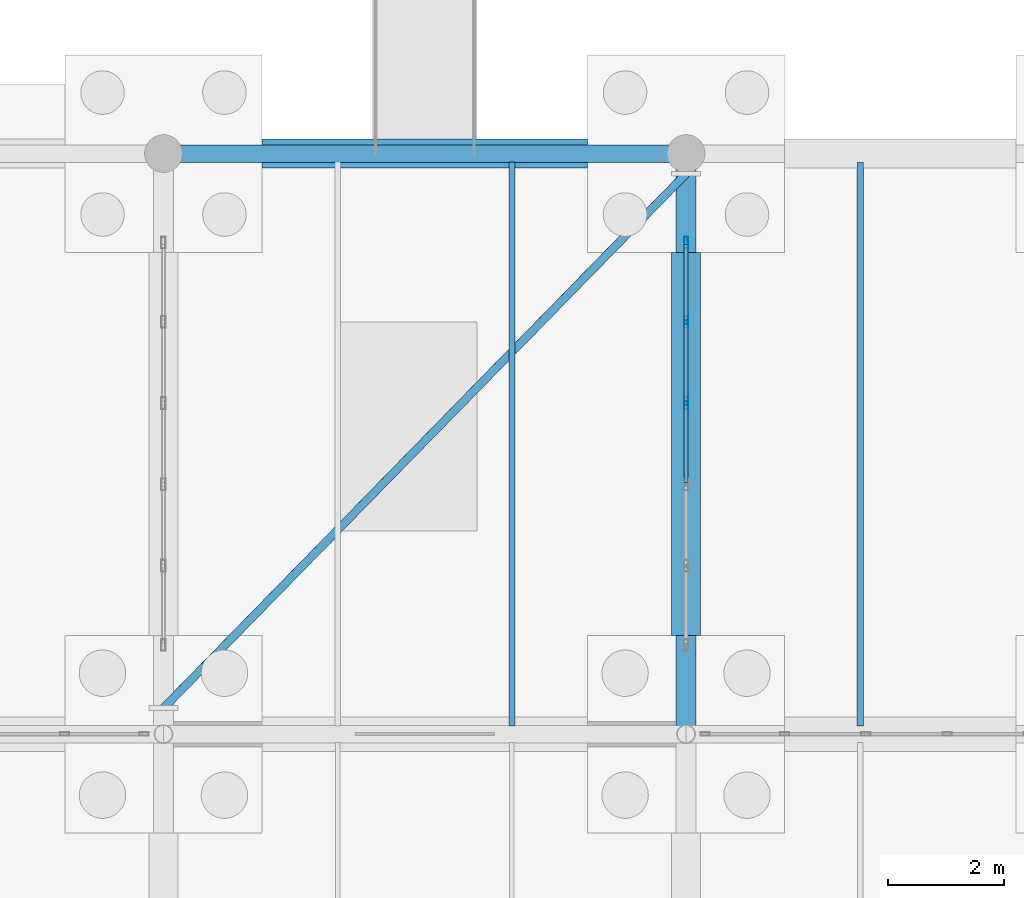
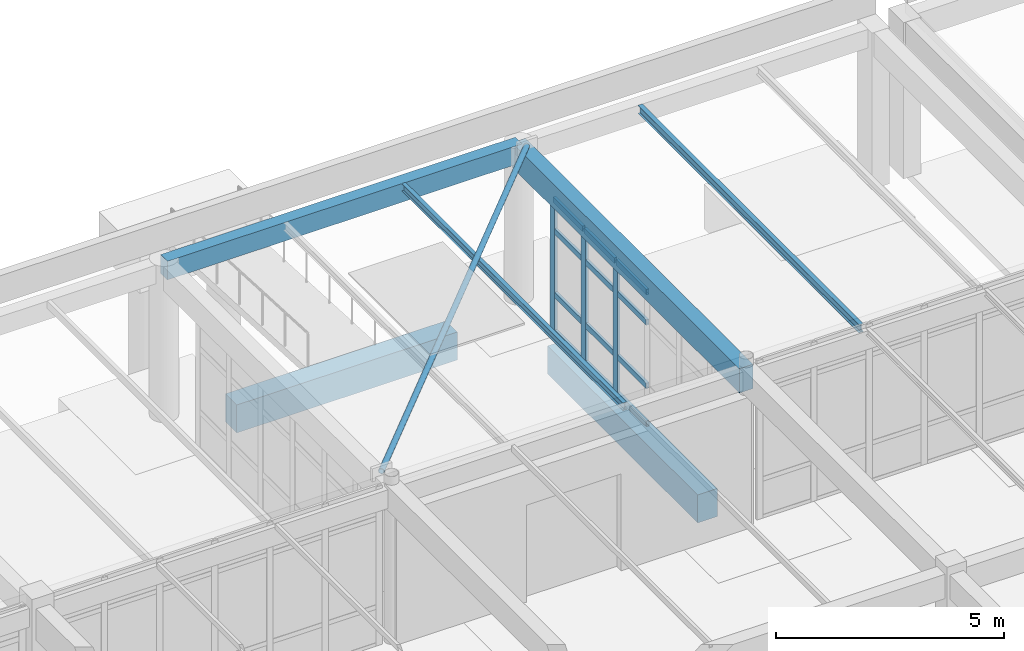
# One storey, part 78 of 186: 16 members, 6 beams, 1 element without a shape of its own.
"""IFC4 building model written with IfcOpenShell, lengths in metres."""

from ifc_helpers import new_model, si_unit, direction, frame, origin, origin_2d, place, context, subcontext, project, spatial, rectangle, hollow_rectangle, hollow_circle, i_section, extrude, material, layer, layer_set, material_profile, profile_set, type_object, element, aggregate, save


model = new_model("IFC4")

# Units and contexts
model_context = context("Model", 3, precision=1e-05, world=origin(), true_north=direction((0.0, 1.0)))
body_context = subcontext(model_context, "Body", "Model", "MODEL_VIEW")
ifc_project = project(units=[si_unit("LENGTHUNIT", "METRE"), si_unit("AREAUNIT", "SQUARE_METRE"), si_unit("VOLUMEUNIT", "CUBIC_METRE"), si_unit("PLANEANGLEUNIT", "RADIAN"), si_unit("MASSUNIT", "GRAM", prefix="KILO")], contexts=[model_context])

# Site, building, storey
site_placement = place(None, origin())
site = spatial("IfcSite", under=ifc_project, at=site_placement, CompositionType="ELEMENT")
building_placement = place(site_placement, origin())
building = spatial("IfcBuilding", under=site, at=building_placement, Name="Ornek Quay Market", CompositionType="ELEMENT")
storey_placement = place(building_placement, origin())
storey = spatial("IfcBuildingStorey", under=building, at=storey_placement, Name="L00", CompositionType="ELEMENT", Elevation=0.0)

# Beams
ifc_material_1 = material(Name="Concrete C35/45", Category="concrete")
ifc_material_profile_1 = material_profile(ifc_material_1, rectangle(XDim=0.35009765625, YDim=0.64990234375, at=origin_2d()), Name="RC 350x650", Category="concrete")
ifc_profile_set_1 = profile_set([ifc_material_profile_1], Name="Concrete C35/45")
beam_type_1 = type_object("IfcBeamType", Name="BM-CONC-350x650", PredefinedType="BEAM", material=ifc_profile_set_1)
beam_1_placement = place(storey_placement, frame((45.0, 110.0, 3.864990234375), z_axis=(0.0, 1.0, 0.0), x_axis=(-1.0, 0.0, 0.0)))
element("IfcBeam", 1, at=beam_1_placement, inside=storey, type_object=beam_type_1, Name="Primary beam B-CN1-006", PredefinedType="BEAM", context=body_context, shape_type="SweptSolid", body=[
    extrude(rectangle(XDim=0.35009765625, YDim=0.64990234375, at=origin_2d()), origin(), (0.0, 0.0, 1.0), 10.0),
])
ifc_material_profile_2 = material_profile(ifc_material_1, rectangle(XDim=0.5, YDim=0.75, at=origin_2d()), Name="RC 500x750", Category="concrete")
ifc_profile_set_2 = profile_set([ifc_material_profile_2], Name="Concrete C35/45")
beam_type_2 = type_object("IfcBeamType", Name="BM-GB-500x750", PredefinedType="BEAM", material=ifc_profile_set_2)
beam_2_placement = place(storey_placement, frame((37.699951171875, 120.0, -0.574951171875), z_axis=(1.0, 0.0, 0.0), x_axis=(0.0, 1.0, 0.0)))
element("IfcBeam", 2, at=beam_2_placement, inside=storey, type_object=beam_type_2, Name="Ground tie beam GB-052", PredefinedType="BEAM", context=body_context, shape_type="SweptSolid", body=[
    extrude(rectangle(XDim=0.5, YDim=0.75, at=origin_2d()), origin(), (0.0, 0.0, 1.0), 5.60009765625),
])
beam_3_placement = place(storey_placement, frame((45.0, 111.699951171875, -0.574951171875), z_axis=(0.0, 1.0, 0.0), x_axis=(-1.0, 0.0, 0.0)))
element("IfcBeam", 3, at=beam_3_placement, inside=storey, type_object=beam_type_2, Name="Ground tie beam GB-109", PredefinedType="BEAM", context=body_context, shape_type="SweptSolid", body=[
    extrude(rectangle(XDim=0.5, YDim=0.75, at=origin_2d()), origin(), (0.0, 0.0, 1.0), 6.60009765625),
])
ifc_material_2 = material(Name="Steel S355", Category="steel")
ifc_material_profile_3 = material_profile(ifc_material_2, i_section(OverallWidth=0.10009765625, OverallDepth=0.199951171875, WebThickness=0.005615234375, FlangeThickness=0.008544921875, FilletRadius=0.011962890625, at=origin_2d()), Name="IPE 200", Category="steel")
ifc_profile_set_3 = profile_set([ifc_material_profile_3], Name="Steel S355")
beam_type_3 = type_object("IfcBeamType", Name="BM-STL-IPE200", PredefinedType="JOIST", material=ifc_profile_set_3)
beam_4_placement = place(storey_placement, frame((42.0, 110.14208984375, 4.090087890625), z_axis=(0.0, 1.0, 0.0), x_axis=(-1.0, 0.0, 0.0)))
element("IfcBeam", 4, at=beam_4_placement, inside=storey, type_object=beam_type_3, Name="Secondary joist SB-02-004", PredefinedType="JOIST", context=body_context, shape_type="SweptSolid", body=[
    extrude(i_section(OverallWidth=0.10009765625, OverallDepth=0.199951171875, WebThickness=0.005615234375, FlangeThickness=0.008544921875, FilletRadius=0.011962890625, at=origin_2d()), origin(), (0.0, 0.0, 1.0), 9.7158203125),
])
ifc_material_profile_4 = material_profile(ifc_material_2, i_section(OverallWidth=0.110107421875, OverallDepth=0.219970703125, WebThickness=0.005859375, FlangeThickness=0.00927734375, FilletRadius=0.011962890625, at=origin_2d()), Name="IPE 220", Category="steel")
ifc_profile_set_4 = profile_set([ifc_material_profile_4], Name="Steel S355")
beam_type_4 = type_object("IfcBeamType", Name="BM-STL-IPE220", PredefinedType="JOIST", material=ifc_profile_set_4)
beam_5_placement = place(storey_placement, frame((48.0, 110.14208984375, 4.080078125), z_axis=(0.0, 1.0, 0.0), x_axis=(-1.0, 0.0, 0.0)))
element("IfcBeam", 5, at=beam_5_placement, inside=storey, type_object=beam_type_4, Name="Secondary joist SB-03-003", PredefinedType="JOIST", context=body_context, shape_type="SweptSolid", body=[
    extrude(i_section(OverallWidth=0.110107421875, OverallDepth=0.219970703125, WebThickness=0.005859375, FlangeThickness=0.00927734375, FilletRadius=0.011962890625, at=origin_2d()), origin(), (0.0, 0.0, 1.0), 9.7158203125),
])
ifc_material_3 = material(Name="Concrete C40/50", Category="concrete")
ifc_material_profile_5 = material_profile(ifc_material_3, rectangle(XDim=0.300048828125, YDim=0.5, at=origin_2d()), Name="RC 300x500", Category="concrete")
ifc_profile_set_5 = profile_set([ifc_material_profile_5], Name="Concrete C40/50")
beam_type_5 = type_object("IfcBeamType", Name="BM-UMB-RIM-300x500", PredefinedType="SPANDREL", material=ifc_profile_set_5)
beam_6_placement = place(storey_placement, frame((36.0, 120.0, 3.93994140625), z_axis=(1.0, 0.0, 0.0), x_axis=(0.0, 1.0, 0.0)))
element("IfcBeam", 6, at=beam_6_placement, inside=storey, type_object=beam_type_5, Name="Primary beam B-UMR-011", PredefinedType="SPANDREL", context=body_context, shape_type="SweptSolid", body=[
    extrude(rectangle(XDim=0.300048828125, YDim=0.5, at=origin_2d()), origin(), (0.0, 0.0, 1.0), 9.0),
])

# Curtain wall, members
ifc_material_4 = material(Name="Anodised bronze aluminium and triple low-e glass", Category="aluminium")
ifc_layer = layer(ifc_material_4, 0.219970703125, Name="Anodised bronze aluminium and triple low-e glass", Category="aluminium")
ifc_layer_set = layer_set([ifc_layer], Name="Anodised bronze aluminium and triple low-e glass")
curtain_wall_type = type_object("IfcCurtainWallType", Name="CW-PORCH-MOD1500", PredefinedType="USERDEFINED", material=ifc_layer_set)
curtain_wall_placement = place(storey_placement, origin())
curtain_wall = element("IfcCurtainWall", 7, at=curtain_wall_placement, inside=storey, type_object=curtain_wall_type, Name="Curtain wall CW-150", ObjectType="CURTAIN WALL", PredefinedType="USERDEFINED")
ifc_material_5 = material(Name="Anodised aluminium 6063-T6", Category="aluminium")
ifc_material_profile_6 = material_profile(ifc_material_5, hollow_rectangle(XDim=0.070068359375, YDim=0.199951171875, WallThickness=0.0048828125, at=origin_2d()), Name="CW-MUL-70x200", Category="aluminium")
ifc_profile_set_6 = profile_set([ifc_material_profile_6], Name="Anodised aluminium 6063-T6")
member_type_1 = type_object("IfcMemberType", Name="CW-MUL-70x200", PredefinedType="MULLION", material=ifc_profile_set_6)
member_1_placement = place(storey_placement, frame((45.0, 115.699951171875, 0.0), z_axis=(0.0, 0.0, 1.0), x_axis=(-1.0, 0.0, 0.0)))
member_1 = element("IfcMember", 8, at=member_1_placement, type_object=member_type_1, Name="CW-150 mullion 4", PredefinedType="MULLION", context=body_context, shape_type="SweptSolid", body=[
    extrude(hollow_rectangle(XDim=0.070068359375, YDim=0.199951171875, WallThickness=0.0048828125, at=origin_2d()), origin(), (0.0, 0.0, 1.0), 3.60009765625),
])
member_2_placement = place(storey_placement, frame((45.0, 117.10009765625, 0.0), z_axis=(0.0, 0.0, 1.0), x_axis=(-1.0, 0.0, 0.0)))
member_2 = element("IfcMember", 9, at=member_2_placement, type_object=member_type_1, Name="CW-150 mullion 5", PredefinedType="MULLION", context=body_context, shape_type="SweptSolid", body=[
    extrude(hollow_rectangle(XDim=0.070068359375, YDim=0.199951171875, WallThickness=0.0048828125, at=origin_2d()), origin(), (0.0, 0.0, 1.0), 3.60009765625),
])
member_3_placement = place(storey_placement, frame((45.0, 118.465087890625, 0.0), z_axis=(0.0, 0.0, 1.0), x_axis=(-1.0, 0.0, 0.0)))
member_3 = element("IfcMember", 10, at=member_3_placement, type_object=member_type_1, Name="CW-150 mullion 6", PredefinedType="MULLION", context=body_context, shape_type="SweptSolid", body=[
    extrude(hollow_rectangle(XDim=0.070068359375, YDim=0.199951171875, WallThickness=0.0048828125, at=origin_2d()), origin(), (0.0, 0.0, 1.0), 3.60009765625),
])
ifc_material_profile_7 = material_profile(ifc_material_5, hollow_rectangle(XDim=0.070068359375, YDim=0.14990234375, WallThickness=0.0048828125, at=origin_2d()), Name="CW-TRN-70x150", Category="aluminium")
ifc_profile_set_7 = profile_set([ifc_material_profile_7], Name="Anodised aluminium 6063-T6")
member_type_2 = type_object("IfcMemberType", Name="CW-TRN-70x150", PredefinedType="USERDEFINED", material=ifc_profile_set_7)
member_4_placement = place(storey_placement, frame((45.0, 114.3349609375, 0.034912109375), z_axis=(0.0, 1.0, 0.0), x_axis=(-1.0, 0.0, 0.0)))
member_4 = element("IfcMember", 11, at=member_4_placement, type_object=member_type_2, Name="CW-150 transom 3.1", ObjectType="TRANSOM", PredefinedType="USERDEFINED", context=body_context, shape_type="SweptSolid", body=[
    extrude(hollow_rectangle(XDim=0.070068359375, YDim=0.14990234375, WallThickness=0.0048828125, at=origin_2d()), origin(), (0.0, 0.0, 1.0), 1.330078125),
])
member_5_placement = place(storey_placement, frame((45.0, 114.3349609375, 1.050048828125), z_axis=(0.0, 1.0, 0.0), x_axis=(-1.0, 0.0, 0.0)))
member_5 = element("IfcMember", 12, at=member_5_placement, type_object=member_type_2, Name="CW-150 transom 3.2", ObjectType="TRANSOM", PredefinedType="USERDEFINED", context=body_context, shape_type="SweptSolid", body=[
    extrude(hollow_rectangle(XDim=0.070068359375, YDim=0.14990234375, WallThickness=0.0048828125, at=origin_2d()), origin(), (0.0, 0.0, 1.0), 1.330078125),
])
member_6_placement = place(storey_placement, frame((45.0, 114.3349609375, 2.75), z_axis=(0.0, 1.0, 0.0), x_axis=(-1.0, 0.0, 0.0)))
member_6 = element("IfcMember", 13, at=member_6_placement, type_object=member_type_2, Name="CW-150 transom 3.3", ObjectType="TRANSOM", PredefinedType="USERDEFINED", context=body_context, shape_type="SweptSolid", body=[
    extrude(hollow_rectangle(XDim=0.070068359375, YDim=0.14990234375, WallThickness=0.0048828125, at=origin_2d()), origin(), (0.0, 0.0, 1.0), 1.330078125),
])
member_7_placement = place(storey_placement, frame((45.0, 114.3349609375, 3.56494140625), z_axis=(0.0, 1.0, 0.0), x_axis=(-1.0, 0.0, 0.0)))
member_7 = element("IfcMember", 14, at=member_7_placement, type_object=member_type_2, Name="CW-150 transom 3.4", ObjectType="TRANSOM", PredefinedType="USERDEFINED", context=body_context, shape_type="SweptSolid", body=[
    extrude(hollow_rectangle(XDim=0.070068359375, YDim=0.14990234375, WallThickness=0.0048828125, at=origin_2d()), origin(), (0.0, 0.0, 1.0), 1.330078125),
])
member_8_placement = place(storey_placement, frame((45.0, 115.735107421875, 0.034912109375), z_axis=(0.0, 1.0, 0.0), x_axis=(-1.0, 0.0, 0.0)))
member_8 = element("IfcMember", 15, at=member_8_placement, type_object=member_type_2, Name="CW-150 transom 4.1", ObjectType="TRANSOM", PredefinedType="USERDEFINED", context=body_context, shape_type="SweptSolid", body=[
    extrude(hollow_rectangle(XDim=0.070068359375, YDim=0.14990234375, WallThickness=0.0048828125, at=origin_2d()), origin(), (0.0, 0.0, 1.0), 1.329833984375),
])
member_9_placement = place(storey_placement, frame((45.0, 115.735107421875, 1.050048828125), z_axis=(0.0, 1.0, 0.0), x_axis=(-1.0, 0.0, 0.0)))
member_9 = element("IfcMember", 16, at=member_9_placement, type_object=member_type_2, Name="CW-150 transom 4.2", ObjectType="TRANSOM", PredefinedType="USERDEFINED", context=body_context, shape_type="SweptSolid", body=[
    extrude(hollow_rectangle(XDim=0.070068359375, YDim=0.14990234375, WallThickness=0.0048828125, at=origin_2d()), origin(), (0.0, 0.0, 1.0), 1.329833984375),
])
member_10_placement = place(storey_placement, frame((45.0, 115.735107421875, 2.75), z_axis=(0.0, 1.0, 0.0), x_axis=(-1.0, 0.0, 0.0)))
member_10 = element("IfcMember", 17, at=member_10_placement, type_object=member_type_2, Name="CW-150 transom 4.3", ObjectType="TRANSOM", PredefinedType="USERDEFINED", context=body_context, shape_type="SweptSolid", body=[
    extrude(hollow_rectangle(XDim=0.070068359375, YDim=0.14990234375, WallThickness=0.0048828125, at=origin_2d()), origin(), (0.0, 0.0, 1.0), 1.329833984375),
])
member_11_placement = place(storey_placement, frame((45.0, 115.735107421875, 3.56494140625), z_axis=(0.0, 1.0, 0.0), x_axis=(-1.0, 0.0, 0.0)))
member_11 = element("IfcMember", 18, at=member_11_placement, type_object=member_type_2, Name="CW-150 transom 4.4", ObjectType="TRANSOM", PredefinedType="USERDEFINED", context=body_context, shape_type="SweptSolid", body=[
    extrude(hollow_rectangle(XDim=0.070068359375, YDim=0.14990234375, WallThickness=0.0048828125, at=origin_2d()), origin(), (0.0, 0.0, 1.0), 1.329833984375),
])
member_12_placement = place(storey_placement, frame((45.0, 117.135009765625, 0.034912109375), z_axis=(0.0, 1.0, 0.0), x_axis=(-1.0, 0.0, 0.0)))
member_12 = element("IfcMember", 19, at=member_12_placement, type_object=member_type_2, Name="CW-150 transom 5.1", ObjectType="TRANSOM", PredefinedType="USERDEFINED", context=body_context, shape_type="SweptSolid", body=[
    extrude(hollow_rectangle(XDim=0.070068359375, YDim=0.14990234375, WallThickness=0.0048828125, at=origin_2d()), origin(), (0.0, 0.0, 1.0), 1.294921875),
])
member_13_placement = place(storey_placement, frame((45.0, 117.135009765625, 1.050048828125), z_axis=(0.0, 1.0, 0.0), x_axis=(-1.0, 0.0, 0.0)))
member_13 = element("IfcMember", 20, at=member_13_placement, type_object=member_type_2, Name="CW-150 transom 5.2", ObjectType="TRANSOM", PredefinedType="USERDEFINED", context=body_context, shape_type="SweptSolid", body=[
    extrude(hollow_rectangle(XDim=0.070068359375, YDim=0.14990234375, WallThickness=0.0048828125, at=origin_2d()), origin(), (0.0, 0.0, 1.0), 1.294921875),
])
member_14_placement = place(storey_placement, frame((45.0, 117.135009765625, 2.75), z_axis=(0.0, 1.0, 0.0), x_axis=(-1.0, 0.0, 0.0)))
member_14 = element("IfcMember", 21, at=member_14_placement, type_object=member_type_2, Name="CW-150 transom 5.3", ObjectType="TRANSOM", PredefinedType="USERDEFINED", context=body_context, shape_type="SweptSolid", body=[
    extrude(hollow_rectangle(XDim=0.070068359375, YDim=0.14990234375, WallThickness=0.0048828125, at=origin_2d()), origin(), (0.0, 0.0, 1.0), 1.294921875),
])
member_15_placement = place(storey_placement, frame((45.0, 117.135009765625, 3.56494140625), z_axis=(0.0, 1.0, 0.0), x_axis=(-1.0, 0.0, 0.0)))
member_15 = element("IfcMember", 22, at=member_15_placement, type_object=member_type_2, Name="CW-150 transom 5.4", ObjectType="TRANSOM", PredefinedType="USERDEFINED", context=body_context, shape_type="SweptSolid", body=[
    extrude(hollow_rectangle(XDim=0.070068359375, YDim=0.14990234375, WallThickness=0.0048828125, at=origin_2d()), origin(), (0.0, 0.0, 1.0), 1.294921875),
])
aggregate(curtain_wall, [member_1, member_2, member_3, member_4, member_5, member_6, member_7, member_8, member_9, member_10, member_11, member_12, member_13, member_14, member_15])

# Member
ifc_material_profile_8 = material_profile(ifc_material_2, hollow_circle(Radius=0.06982421875, WallThickness=0.008056640625, at=origin_2d()), Name="CHS 139.7x8", Category="steel")
ifc_profile_set_8 = profile_set([ifc_material_profile_8], Name="Steel S355")
member_type_3 = type_object("IfcMemberType", Name="MBR-BRC-CHS139", PredefinedType="BRACE", material=ifc_profile_set_8)
member_16_placement = place(storey_placement, frame((36.0, 110.449951171875, 4.260009765625), z_axis=(0.699296051965, 0.714832170307, 0.0), x_axis=(-0.714832170307, 0.699296051965, 0.0)))
element("IfcMember", 23, at=member_16_placement, inside=storey, type_object=member_type_3, Name="Quay colonnade wind brace QB-02", PredefinedType="BRACE", context=body_context, shape_type="SweptSolid", body=[
    extrude(hollow_circle(Radius=0.06982421875, WallThickness=0.008056640625, at=origin_2d()), origin(), (0.0, 0.0, 1.0), 12.8701171875),
])

save(model, "model.ifc")
